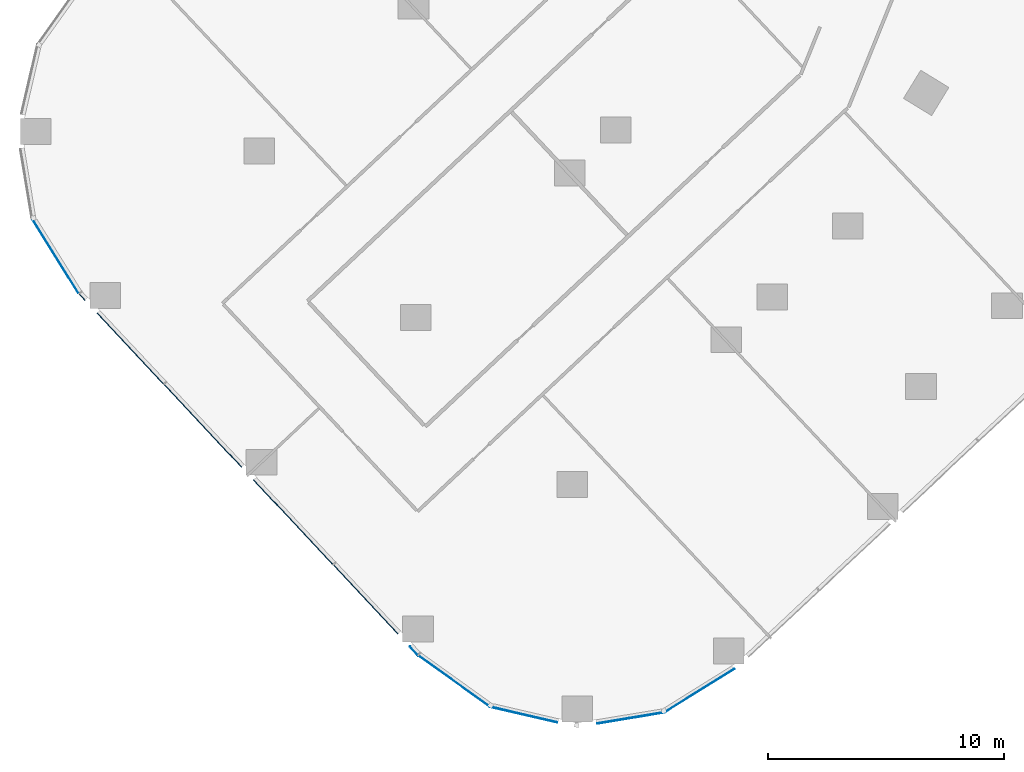
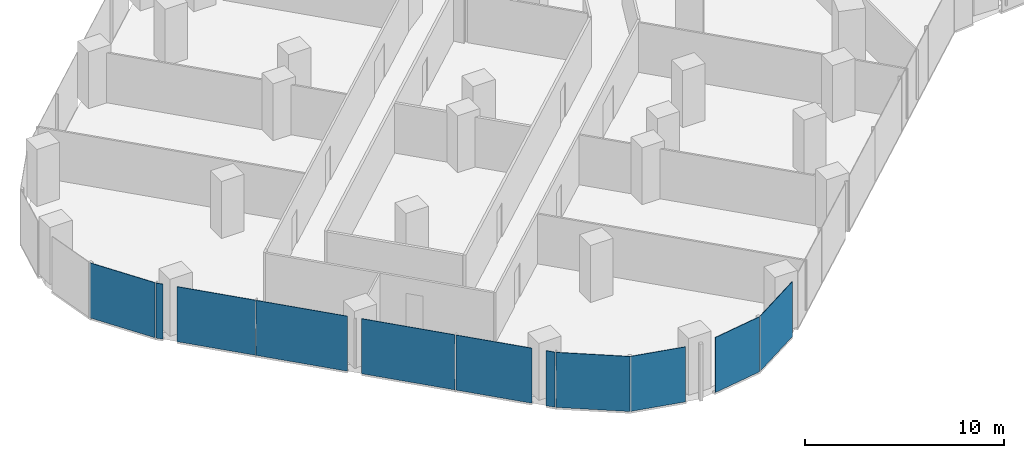
# One storey, part 17 of 34: 11 plates, 6 elements without a shape of their own.
"""IFC4 building model written with IfcOpenShell, lengths in metres."""

from ifc_helpers import new_model, si_unit, direction, frame, origin, origin_2d, place, context, subcontext, project, spatial, rectangle, extrude, material, layer, layer_set, type_object, element, aggregate, save


model = new_model("IFC4")

# Units and contexts
model_context = context("Model", 3, precision=1e-05, world=origin(), true_north=direction((0.0, 1.0)))
body_context = subcontext(model_context, "Body", "Model", "MODEL_VIEW")
ifc_project = project(units=[si_unit("LENGTHUNIT", "METRE"), si_unit("AREAUNIT", "SQUARE_METRE"), si_unit("VOLUMEUNIT", "CUBIC_METRE"), si_unit("PLANEANGLEUNIT", "RADIAN"), si_unit("MASSUNIT", "GRAM", prefix="KILO")], contexts=[model_context])

# Site, building, storey
site_placement = place(None, origin())
site = spatial("IfcSite", under=ifc_project, at=site_placement, CompositionType="ELEMENT")
building_placement = place(site_placement, origin())
building = spatial("IfcBuilding", under=site, at=building_placement, Name="Orlundy Tower", CompositionType="ELEMENT")
storey_placement = place(building_placement, frame((0.0, 0.0, 47.800048828125)))
storey = spatial("IfcBuildingStorey", under=building, at=storey_placement, Name="L10", CompositionType="ELEMENT", Elevation=47.800048828125)

# Curtain wall, plate
ifc_material_1 = material(Name="Aluminium bronze anodised", Category="aluminium")
curtain_wall_type = type_object("IfcCurtainWallType", Name="CW1 wall", PredefinedType="NOTDEFINED", material=ifc_material_1)
curtain_wall_1_placement = place(storey_placement, origin())
curtain_wall_1 = element("IfcCurtainWall", 1, at=curtain_wall_1_placement, inside=storey, type_object=curtain_wall_type, Name="CW1 run 019", PredefinedType="NOTDEFINED")
ifc_material_2 = material(Name="Tinted glass", Category="glass")
ifc_layer = layer(ifc_material_2, 0.031982421875)
ifc_layer_set = layer_set([ifc_layer], Name="CW1 glass panel 32")
plate_type = type_object("IfcPlateType", Name="CW1 glass panel 32", PredefinedType="CURTAIN_PANEL", material=ifc_layer_set)
plate_1_placement = place(storey_placement, frame((-25.117431640625, -50.668701171875, -0.300048828125), z_axis=(0.0, 0.0, 1.0), x_axis=(-0.848951715627, -0.528470419734, 0.0)))
plate_1 = element("IfcPlate", 2, at=plate_1_placement, type_object=plate_type, Name="CW1 panel", PredefinedType="CURTAIN_PANEL", context=body_context, shape_type="SweptSolid", body=[
    extrude(rectangle(XDim=3.49951171875, YDim=0.031982421875, at=origin_2d()), origin(), (0.0, 0.0, 1.0), 3.3798828125),
])
aggregate(curtain_wall_1, [plate_1])

curtain_wall_2_placement = place(storey_placement, origin())
curtain_wall_2 = element("IfcCurtainWall", 3, at=curtain_wall_2_placement, inside=storey, type_object=curtain_wall_type, Name="CW1 run 020", PredefinedType="NOTDEFINED")
plate_2_placement = place(storey_placement, frame((-28.02587890625, -51.82958984375, -0.300048828125), z_axis=(0.0, 0.0, 1.0), x_axis=(-0.986495831177, -0.163786370223, 0.0)))
plate_2 = element("IfcPlate", 4, at=plate_2_placement, type_object=plate_type, Name="CW1 panel", PredefinedType="CURTAIN_PANEL", context=body_context, shape_type="SweptSolid", body=[
    extrude(rectangle(XDim=2.885009765625, YDim=0.031982421875, at=origin_2d()), origin(), (0.0, 0.0, 1.0), 3.3798828125),
])
aggregate(curtain_wall_2, [plate_2])

curtain_wall_3_placement = place(storey_placement, origin())
curtain_wall_3 = element("IfcCurtainWall", 5, at=curtain_wall_3_placement, inside=storey, type_object=curtain_wall_type, Name="CW1 run 021", PredefinedType="NOTDEFINED")
plate_3_placement = place(storey_placement, frame((-32.573486328125, -51.688232421875, -0.300048828125), z_axis=(0.0, 0.0, 1.0), x_axis=(-0.974053680026, 0.226317097073, 0.0)))
plate_3 = element("IfcPlate", 6, at=plate_3_placement, type_object=plate_type, Name="CW1 panel", PredefinedType="CURTAIN_PANEL", context=body_context, shape_type="SweptSolid", body=[
    extrude(rectangle(XDim=2.9248046875, YDim=0.031982421875, at=origin_2d()), origin(), (0.0, 0.0, 1.0), 3.3798828125),
])
aggregate(curtain_wall_3, [plate_3])

curtain_wall_4_placement = place(storey_placement, origin())
curtain_wall_4 = element("IfcCurtainWall", 7, at=curtain_wall_4_placement, inside=storey, type_object=curtain_wall_type, Name="CW1 run 022", PredefinedType="NOTDEFINED")
plate_4_placement = place(storey_placement, frame((-35.514404296875, -50.27197265625, -0.300048828125), z_axis=(0.0, 0.0, 1.0), x_axis=(-0.813204454711, 0.58197810512, 0.0)))
plate_4 = element("IfcPlate", 8, at=plate_4_placement, type_object=plate_type, Name="CW1 panel", PredefinedType="CURTAIN_PANEL", context=body_context, shape_type="SweptSolid", body=[
    extrude(rectangle(XDim=3.72998046875, YDim=0.031982421875, at=origin_2d()), origin(), (0.0, 0.0, 1.0), 3.3798828125),
])
aggregate(curtain_wall_4, [plate_4])

# Curtain wall, plates
curtain_wall_5_placement = place(storey_placement, origin())
curtain_wall_5 = element("IfcCurtainWall", 9, at=curtain_wall_5_placement, inside=storey, type_object=curtain_wall_type, Name="CW1 run 023", PredefinedType="NOTDEFINED")
plate_5_placement = place(storey_placement, frame((-37.232666015625, -48.978759765625, -0.300048828125), z_axis=(0.0, 0.0, 1.0), x_axis=(-0.684126430551, 0.729363439598, 0.0)))
plate_5 = element("IfcPlate", 10, at=plate_5_placement, type_object=plate_type, Name="CW1 panel", PredefinedType="CURTAIN_PANEL", context=body_context, shape_type="SweptSolid", body=[
    extrude(rectangle(XDim=0.4794921875, YDim=0.031982421875, at=origin_2d()), origin(), (0.0, 0.0, 1.0), 3.3798828125),
])
plate_6_placement = place(storey_placement, frame((-39.27001953125, -46.806640625, -0.300048828125), z_axis=(0.0, 0.0, 1.0), x_axis=(-0.684126430551, 0.729363439598, 0.0)))
plate_6 = element("IfcPlate", 11, at=plate_6_placement, type_object=plate_type, Name="CW1 panel", PredefinedType="CURTAIN_PANEL", context=body_context, shape_type="SweptSolid", body=[
    extrude(rectangle(XDim=3.996826171875, YDim=0.031982421875, at=origin_2d()), origin(), (0.0, 0.0, 1.0), 3.3798828125),
])
plate_7_placement = place(storey_placement, frame((-42.352294921875, -43.520751953125, -0.300048828125), z_axis=(0.0, 0.0, 1.0), x_axis=(-0.684126430551, 0.729363439598, 0.0)))
plate_7 = element("IfcPlate", 12, at=plate_7_placement, type_object=plate_type, Name="CW1 panel", PredefinedType="CURTAIN_PANEL", context=body_context, shape_type="SweptSolid", body=[
    extrude(rectangle(XDim=4.91357421875, YDim=0.031982421875, at=origin_2d()), origin(), (0.0, 0.0, 1.0), 3.3798828125),
])
plate_8_placement = place(storey_placement, frame((-46.179931640625, -39.43994140625, -0.300048828125), z_axis=(0.0, 0.0, 1.0), x_axis=(-0.684126430551, 0.729363439598, 0.0)))
plate_8 = element("IfcPlate", 13, at=plate_8_placement, type_object=plate_type, Name="CW1 panel", PredefinedType="CURTAIN_PANEL", context=body_context, shape_type="SweptSolid", body=[
    extrude(rectangle(XDim=4.797119140625, YDim=0.031982421875, at=origin_2d()), origin(), (0.0, 0.0, 1.0), 3.3798828125),
])
plate_9_placement = place(storey_placement, frame((-49.261962890625, -36.154052734375, -0.300048828125), z_axis=(0.0, 0.0, 1.0), x_axis=(-0.684126430551, 0.729363439598, 0.0)))
plate_9 = element("IfcPlate", 14, at=plate_9_placement, type_object=plate_type, Name="CW1 panel", PredefinedType="CURTAIN_PANEL", context=body_context, shape_type="SweptSolid", body=[
    extrude(rectangle(XDim=4.113525390625, YDim=0.031982421875, at=origin_2d()), origin(), (0.0, 0.0, 1.0), 3.3798828125),
])
plate_10_placement = place(storey_placement, frame((-51.29931640625, -33.982177734375, -0.300048828125), z_axis=(0.0, 0.0, 1.0), x_axis=(-0.684126430551, 0.729363439598, 0.0)))
plate_10 = element("IfcPlate", 15, at=plate_10_placement, type_object=plate_type, Name="CW1 panel", PredefinedType="CURTAIN_PANEL", context=body_context, shape_type="SweptSolid", body=[
    extrude(rectangle(XDim=0.36328125, YDim=0.031982421875, at=origin_2d()), origin(), (0.0, 0.0, 1.0), 3.3798828125),
])
aggregate(curtain_wall_5, [plate_5, plate_6, plate_7, plate_8, plate_9, plate_10])

# Curtain wall, plate
curtain_wall_6_placement = place(storey_placement, origin())
curtain_wall_6 = element("IfcCurtainWall", 16, at=curtain_wall_6_placement, inside=storey, type_object=curtain_wall_type, Name="CW1 run 024", PredefinedType="NOTDEFINED")
plate_11_placement = place(storey_placement, frame((-52.440185546875, -32.22705078125, -0.300048828125), z_axis=(0.0, 0.0, 1.0), x_axis=(-0.528785864693, 0.848755270558, 0.0)))
plate_11 = element("IfcPlate", 17, at=plate_11_placement, type_object=plate_type, Name="CW1 panel", PredefinedType="CURTAIN_PANEL", context=body_context, shape_type="SweptSolid", body=[
    extrude(rectangle(XDim=3.730224609375, YDim=0.031982421875, at=origin_2d()), origin(), (0.0, 0.0, 1.0), 3.3798828125),
])
aggregate(curtain_wall_6, [plate_11])

save(model, "model.ifc")
